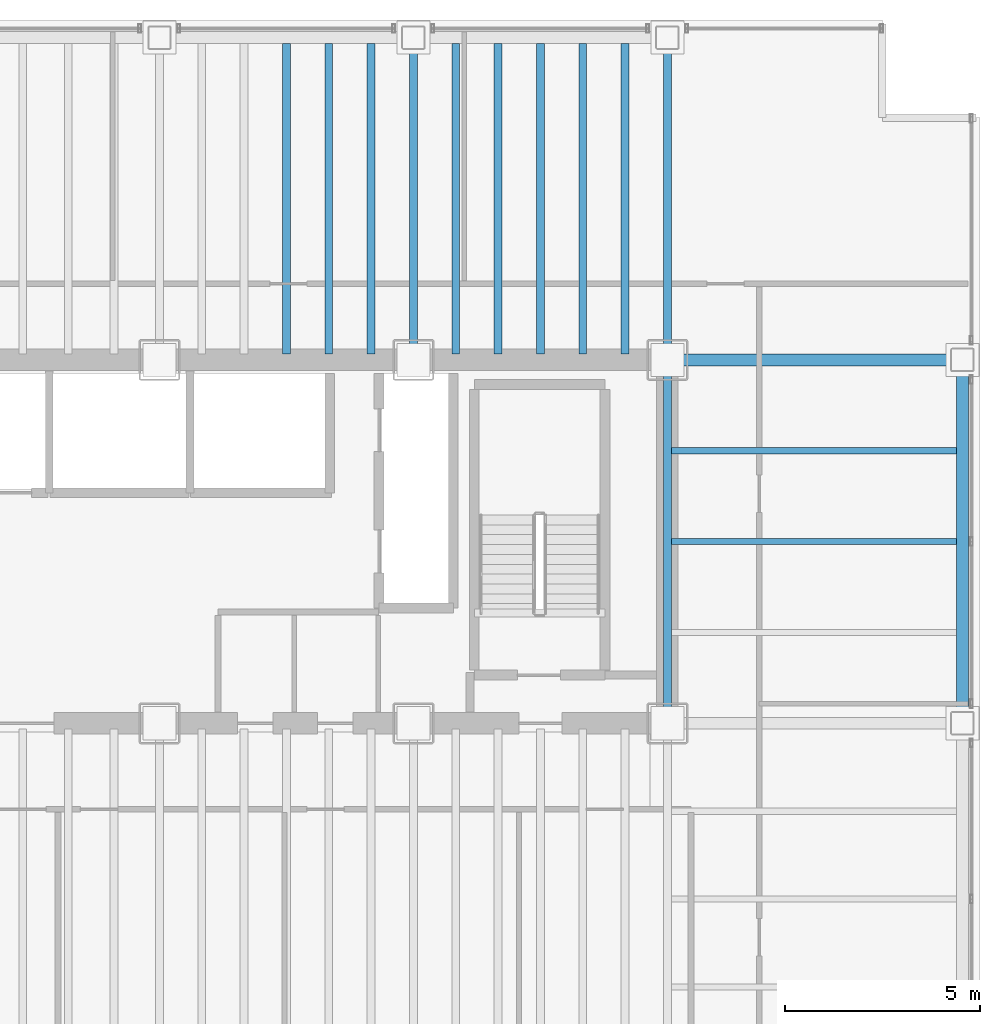
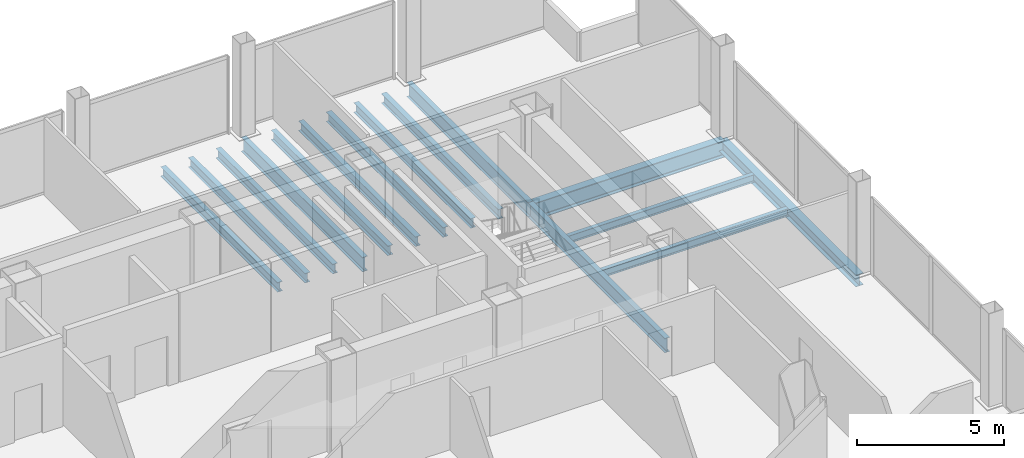
# One storey, part 12 of 21: 15 beams.
"""IFC4 building model written with IfcOpenShell, lengths in metres."""

from ifc_helpers import new_model, si_unit, direction, frame, origin, origin_2d, place, context, subcontext, project, spatial, i_section, extrude, material, material_profile, profile_set, type_object, element, save


model = new_model("IFC4")

# Units and contexts
model_context = context("Model", 3, precision=1e-05, world=origin(), true_north=direction((0.0, 1.0)))
body_context = subcontext(model_context, "Body", "Model", "MODEL_VIEW")
ifc_project = project(units=[si_unit("LENGTHUNIT", "METRE"), si_unit("AREAUNIT", "SQUARE_METRE"), si_unit("VOLUMEUNIT", "CUBIC_METRE"), si_unit("PLANEANGLEUNIT", "RADIAN"), si_unit("MASSUNIT", "GRAM", prefix="KILO")], contexts=[model_context])

# Site, building, storey
site_placement = place(None, origin())
site = spatial("IfcSite", under=ifc_project, at=site_placement, CompositionType="ELEMENT")
building_placement = place(site_placement, origin())
building = spatial("IfcBuilding", under=site, at=building_placement, Name="Noeulbin Bourse Tower", CompositionType="ELEMENT")
storey_placement = place(building_placement, frame((0.0, 0.0, 38.199951171875)))
storey = spatial("IfcBuildingStorey", under=building, at=storey_placement, Name="L09", CompositionType="ELEMENT", Elevation=38.199951171875)

# Beams
ifc_material = material(Name="Steel S355", Category="steel")
ifc_material_profile_1 = material_profile(ifc_material, i_section(OverallWidth=0.199951171875, OverallDepth=0.60009765625, WebThickness=0.010986328125, FlangeThickness=0.01708984375, FilletRadius=0.02197265625, at=origin_2d()), Name="H-600x200x11x17", Category="LoadBearing")
ifc_profile_set_1 = profile_set([ifc_material_profile_1], Name="Steel S355")
beam_type_1 = type_object("IfcBeamType", Name="BM-GRD-600", PredefinedType="USERDEFINED", material=ifc_profile_set_1)
beam_1_placement = place(storey_placement, frame((37.5, 38.300048828125, -0.47998046875), z_axis=(0.0, 1.0, 0.0), x_axis=(-1.0, 0.0, 0.0)))
element("IfcBeam", 1, at=beam_1_placement, inside=storey, type_object=beam_type_1, Name="Tower Primary Girder NS L09-4.4", ObjectType="GIRDER", PredefinedType="USERDEFINED", context=body_context, shape_type="SweptSolid", body=[
    extrude(i_section(OverallWidth=0.199951171875, OverallDepth=0.60009765625, WebThickness=0.010986328125, FlangeThickness=0.01708984375, FilletRadius=0.02197265625, at=origin_2d()), origin(), (0.0, 0.0, 1.0), 8.25),
])
beam_2_placement = place(storey_placement, frame((44.0, 29.0, -0.47998046875), z_axis=(0.0, 1.0, 0.0), x_axis=(-1.0, 0.0, 0.0)))
element("IfcBeam", 2, at=beam_2_placement, inside=storey, type_object=beam_type_1, Name="Tower Primary Girder NS L09-5.3", ObjectType="GIRDER", PredefinedType="USERDEFINED", context=body_context, shape_type="SweptSolid", body=[
    extrude(i_section(OverallWidth=0.199951171875, OverallDepth=0.60009765625, WebThickness=0.010986328125, FlangeThickness=0.01708984375, FilletRadius=0.02197265625, at=origin_2d()), origin(), (0.0, 0.0, 1.0), 9.300048828125),
])
beam_3_placement = place(storey_placement, frame((44.0, 38.300048828125, -0.47998046875), z_axis=(0.0, 1.0, 0.0), x_axis=(-1.0, 0.0, 0.0)))
element("IfcBeam", 3, at=beam_3_placement, inside=storey, type_object=beam_type_1, Name="Tower Primary Girder NS L09-5.4", ObjectType="GIRDER", PredefinedType="USERDEFINED", context=body_context, shape_type="SweptSolid", body=[
    extrude(i_section(OverallWidth=0.199951171875, OverallDepth=0.60009765625, WebThickness=0.010986328125, FlangeThickness=0.01708984375, FilletRadius=0.02197265625, at=origin_2d()), origin(), (0.0, 0.0, 1.0), 8.25),
])
ifc_material_profile_2 = material_profile(ifc_material, i_section(OverallWidth=0.300048828125, OverallDepth=0.699951171875, WebThickness=0.012939453125, FlangeThickness=0.02392578125, FilletRadius=0.02392578125, at=origin_2d()), Name="H-700x300x13x24", Category="LoadBearing")
ifc_profile_set_2 = profile_set([ifc_material_profile_2], Name="Steel S355")
beam_type_2 = type_object("IfcBeamType", Name="BM-GRD-700", PredefinedType="USERDEFINED", material=ifc_profile_set_2)
beam_4_placement = place(storey_placement, frame((44.0, 38.300048828125, -0.530029296875), z_axis=(1.0, 0.0, 0.0), x_axis=(0.0, 1.0, 0.0)))
element("IfcBeam", 4, at=beam_4_placement, inside=storey, type_object=beam_type_2, Name="Tower Primary Girder EW L09-3.6", ObjectType="GIRDER", PredefinedType="USERDEFINED", context=body_context, shape_type="SweptSolid", body=[
    extrude(i_section(OverallWidth=0.300048828125, OverallDepth=0.699951171875, WebThickness=0.012939453125, FlangeThickness=0.02392578125, FilletRadius=0.02392578125, at=origin_2d()), origin(), (0.0, 0.0, 1.0), 7.550048828125),
])
ifc_material_profile_3 = material_profile(ifc_material, i_section(OverallWidth=0.159912109375, OverallDepth=0.320068359375, WebThickness=0.006591796875, FlangeThickness=0.010009765625, FilletRadius=0.012939453125, at=origin_2d()), Name="H-320x160x6.5x10", Category="LoadBearing")
ifc_profile_set_3 = profile_set([ifc_material_profile_3], Name="Steel S355")
beam_type_3 = type_object("IfcBeamType", Name="BM-JST-320", PredefinedType="JOIST", material=ifc_profile_set_3)
for number, where, z_axis, x_axis, name in (
    (5, (44.10009765625, 33.64990234375, -0.33984375), (1.0, 0.0, 0.0), (0.0, 1.0, 0.0), "Wing Composite Joist L09-E80"),
    (6, (44.10009765625, 35.97509765625, -0.33984375), (1.0, 0.0, 0.0), (0.0, 1.0, 0.0), "Wing Composite Joist L09-E81"),
):
    element("IfcBeam", number, at=place(storey_placement, frame(where, z_axis=z_axis, x_axis=x_axis)), inside=storey, type_object=beam_type_3, Name=name, PredefinedType="JOIST", context=body_context, shape_type="SweptSolid", body=[
        extrude(i_section(OverallWidth=0.159912109375, OverallDepth=0.320068359375, WebThickness=0.006591796875, FlangeThickness=0.010009765625, FilletRadius=0.012939453125, at=origin_2d()), origin(), (0.0, 0.0, 1.0), 7.2998046875),
    ])
ifc_material_profile_4 = material_profile(ifc_material, i_section(OverallWidth=0.199951171875, OverallDepth=0.39990234375, WebThickness=0.008056640625, FlangeThickness=0.012939453125, FilletRadius=0.01611328125, at=origin_2d()), Name="H-400x200x8x13", Category="LoadBearing")
ifc_profile_set_4 = profile_set([ifc_material_profile_4], Name="Steel S355")
beam_type_4 = type_object("IfcBeamType", Name="BM-SEC-400", PredefinedType="BEAM", material=ifc_profile_set_4)
for number, where, z_axis, x_axis, name in (
    (7, (34.25, 38.449951171875, -0.3798828125), (0.0, 1.0, 0.0), (-1.0, 0.0, 0.0), "Tower Composite Joist L09-48"),
    (8, (35.333251953125, 38.449951171875, -0.3798828125), (0.0, 1.0, 0.0), (-1.0, 0.0, 0.0), "Tower Composite Joist L09-51"),
    (9, (36.416748046875, 38.449951171875, -0.3798828125), (0.0, 1.0, 0.0), (-1.0, 0.0, 0.0), "Tower Composite Joist L09-54"),
    (10, (38.583251953125, 38.449951171875, -0.3798828125), (0.0, 1.0, 0.0), (-1.0, 0.0, 0.0), "Tower Composite Joist L09-57"),
    (11, (39.666748046875, 38.449951171875, -0.3798828125), (0.0, 1.0, 0.0), (-1.0, 0.0, 0.0), "Tower Composite Joist L09-60"),
    (12, (40.75, 38.449951171875, -0.3798828125), (0.0, 1.0, 0.0), (-1.0, 0.0, 0.0), "Tower Composite Joist L09-63"),
    (13, (41.833251953125, 38.449951171875, -0.3798828125), (0.0, 1.0, 0.0), (-1.0, 0.0, 0.0), "Tower Composite Joist L09-66"),
    (14, (42.916748046875, 38.449951171875, -0.3798828125), (0.0, 1.0, 0.0), (-1.0, 0.0, 0.0), "Tower Composite Joist L09-69"),
):
    element("IfcBeam", number, at=place(storey_placement, frame(where, z_axis=z_axis, x_axis=x_axis)), inside=storey, type_object=beam_type_4, Name=name, PredefinedType="BEAM", context=body_context, shape_type="SweptSolid", body=[
        extrude(i_section(OverallWidth=0.199951171875, OverallDepth=0.39990234375, WebThickness=0.008056640625, FlangeThickness=0.012939453125, FilletRadius=0.01611328125, at=origin_2d()), origin(), (0.0, 0.0, 1.0), 7.949951171875),
    ])
ifc_material_profile_5 = material_profile(ifc_material, i_section(OverallWidth=0.300048828125, OverallDepth=0.488037109375, WebThickness=0.010986328125, FlangeThickness=0.01806640625, FilletRadius=0.02197265625, at=origin_2d()), Name="H-488x300x11x18", Category="LoadBearing")
ifc_profile_set_5 = profile_set([ifc_material_profile_5], Name="Steel S355")
beam_type_5 = type_object("IfcBeamType", Name="BM-SPN-488", PredefinedType="SPANDREL", material=ifc_profile_set_5)
beam_5_placement = place(storey_placement, frame((51.550048828125, 29.0, -0.424072265625), z_axis=(0.0, 1.0, 0.0), x_axis=(-1.0, 0.0, 0.0)))
element("IfcBeam", 15, at=beam_5_placement, inside=storey, type_object=beam_type_5, Name="East Spandrel L09-2", PredefinedType="SPANDREL", context=body_context, shape_type="SweptSolid", body=[
    extrude(i_section(OverallWidth=0.300048828125, OverallDepth=0.488037109375, WebThickness=0.010986328125, FlangeThickness=0.01806640625, FilletRadius=0.02197265625, at=origin_2d()), origin(), (0.0, 0.0, 1.0), 9.300048828125),
])

save(model, "model.ifc")
